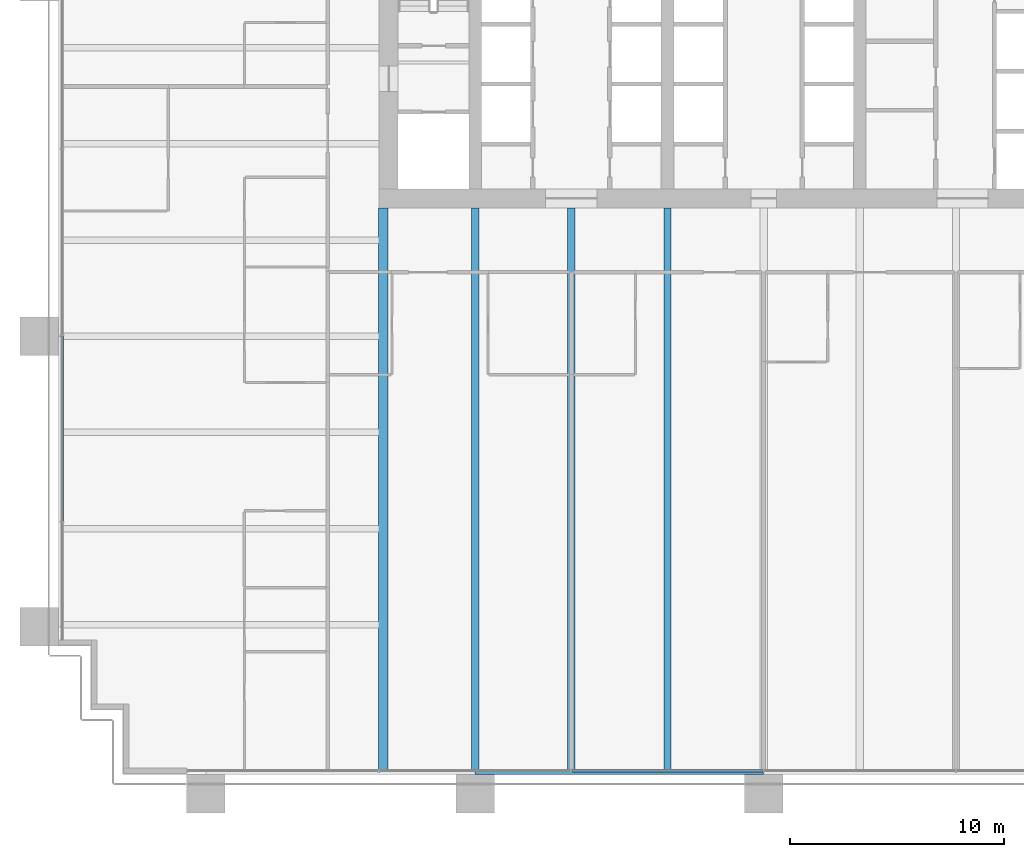
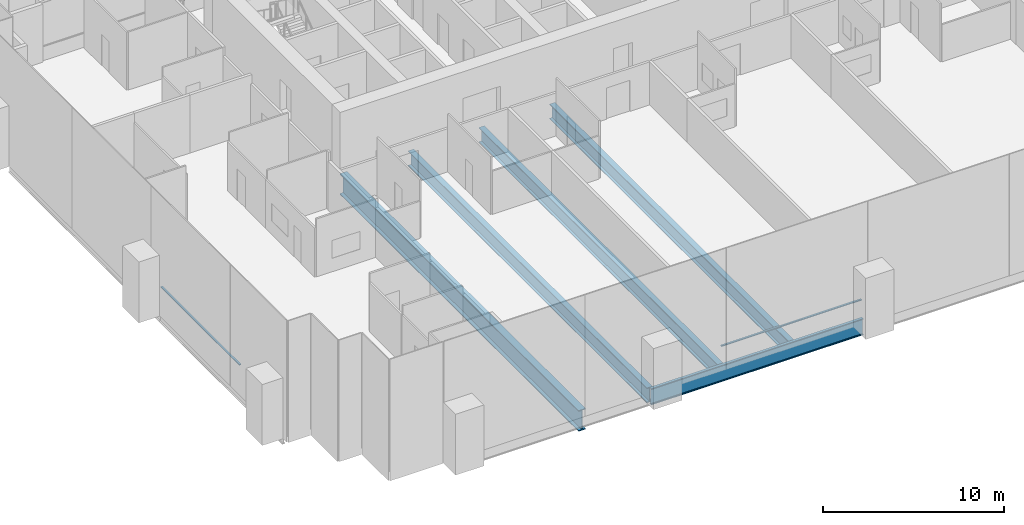
# One storey, part 3 of 18: 5 beams, 2 members, 2 elements without a shape of their own.
"""IFC4 building model written with IfcOpenShell, lengths in metres."""

from ifc_helpers import new_model, si_unit, direction, frame, origin, origin_2d, place, context, subcontext, project, spatial, rectangle, i_section, extrude, material, material_profile, profile_set, type_object, element, aggregate, save


model = new_model("IFC4")

# Units and contexts
model_context = context("Model", 3, precision=1e-05, world=origin(), true_north=direction((0.0, 1.0)))
body_context = subcontext(model_context, "Body", "Model", "MODEL_VIEW")
ifc_project = project(units=[si_unit("LENGTHUNIT", "METRE"), si_unit("AREAUNIT", "SQUARE_METRE"), si_unit("VOLUMEUNIT", "CUBIC_METRE"), si_unit("PLANEANGLEUNIT", "RADIAN"), si_unit("MASSUNIT", "GRAM", prefix="KILO")], contexts=[model_context])

# Site, building, storey
site_placement = place(None, origin())
site = spatial("IfcSite", under=ifc_project, at=site_placement, CompositionType="ELEMENT")
building_placement = place(site_placement, origin())
building = spatial("IfcBuilding", under=site, at=building_placement, Name="Rattan Terrace Tower", CompositionType="ELEMENT")
storey_placement = place(building_placement, frame((0.0, 0.0, 32.39990234375)))
storey = spatial("IfcBuildingStorey", under=building, at=storey_placement, Name="L06", CompositionType="ELEMENT", Elevation=32.39990234375)

# Curtain wall, member
ifc_material_1 = material(Name="Aluminium and glass", Category="aluminium")
curtain_wall_type = type_object("IfcCurtainWallType", Name="Facade Unitised Curtain Wall", PredefinedType="NOTDEFINED", material=ifc_material_1)
curtain_wall_1_placement = place(storey_placement, origin())
curtain_wall_1 = element("IfcCurtainWall", 1, at=curtain_wall_1_placement, inside=storey, type_object=curtain_wall_type, Name="Curtain wall L06-3", PredefinedType="NOTDEFINED")
ifc_material_2 = material(Name="Aluminium", Category="aluminium")
ifc_material_profile_1 = material_profile(ifc_material_2, rectangle(XDim=0.1201171875, YDim=0.06005859375, at=origin_2d()), Name="Aluminium 120x60")
ifc_profile_set_1 = profile_set([ifc_material_profile_1], Name="Aluminium")
member_type = type_object("IfcMemberType", Name="Facade CW Transom 120x60", PredefinedType="USERDEFINED", material=ifc_profile_set_1)
member_1_placement = place(storey_placement, frame((-32.830078125, -13.48388671875, 1.0), z_axis=(0.0, -1.0, 0.0), x_axis=(1.0, 0.0, 0.0)))
member_1 = element("IfcMember", 2, at=member_1_placement, type_object=member_type, Name="Transom cwl-L06-003.3", ObjectType="TRANSOM", PredefinedType="USERDEFINED", context=body_context, shape_type="SweptSolid", body=[
    extrude(rectangle(XDim=0.1201171875, YDim=0.06005859375, at=origin_2d()), origin(), (0.0, 0.0, 1.0), 8.6669921875),
])
aggregate(curtain_wall_1, [member_1])

curtain_wall_2_placement = place(storey_placement, origin())
curtain_wall_2 = element("IfcCurtainWall", 3, at=curtain_wall_2_placement, inside=storey, type_object=curtain_wall_type, Name="Curtain wall L06-4", PredefinedType="NOTDEFINED")
member_2_placement = place(storey_placement, frame((-8.969970703125, -33.830078125, 1.0), z_axis=(1.0, 0.0, 0.0), x_axis=(0.0, 1.0, 0.0)))
member_2 = element("IfcMember", 4, at=member_2_placement, type_object=member_type, Name="Transom cwl-L06-004.3", ObjectType="TRANSOM", PredefinedType="USERDEFINED", context=body_context, shape_type="SweptSolid", body=[
    extrude(rectangle(XDim=0.1201171875, YDim=0.06005859375, at=origin_2d()), origin(), (0.0, 0.0, 1.0), 8.93994140625),
])
aggregate(curtain_wall_2, [member_2])

# Beams
ifc_material_3 = material(Name="Steel S460", Category="steel")
ifc_material_profile_2 = material_profile(ifc_material_3, i_section(OverallWidth=0.449951171875, OverallDepth=1.39990234375, WebThickness=0.02197265625, FlangeThickness=0.054931640625, at=origin_2d()), Name="PG 1400x450-22-55")
ifc_profile_set_2 = profile_set([ifc_material_profile_2], Name="Steel S460")
beam_type_1 = type_object("IfcBeamType", Name="Frame core girder PG 1400x450-22-55", PredefinedType="BEAM", material=ifc_profile_set_2)
beam_1_placement = place(storey_placement, frame((-17.800048828125, -33.820068359375, -0.89990234375), z_axis=(0.0, 1.0, 0.0), x_axis=(-1.0, 0.0, 0.0)))
element("IfcBeam", 5, at=beam_1_placement, inside=storey, type_object=beam_type_1, Name="gdr-L06-013", PredefinedType="BEAM", context=body_context, shape_type="SweptSolid", body=[
    extrude(i_section(OverallWidth=0.449951171875, OverallDepth=1.39990234375, WebThickness=0.02197265625, FlangeThickness=0.054931640625, at=origin_2d()), origin(), (0.0, 0.0, 1.0), 26.320068359375),
])
ifc_material_4 = material(Name="Steel S460", Category="steel")
ifc_material_profile_3 = material_profile(ifc_material_4, i_section(OverallWidth=0.179931640625, OverallDepth=1.10009765625, WebThickness=0.01611328125, FlangeThickness=0.050048828125, at=origin_2d()), Name="PG 1100x180-16-50")
ifc_profile_set_3 = profile_set([ifc_material_profile_3], Name="Steel S460")
beam_type_2 = type_object("IfcBeamType", Name="Frame edge girder PG 1100x180-16-50", PredefinedType="SPANDREL", material=ifc_profile_set_3)
beam_2_placement = place(storey_placement, frame((-13.5, -33.909912109375, -0.75), z_axis=(1.0, 0.0, 0.0), x_axis=(0.0, 1.0, 0.0)))
element("IfcBeam", 6, at=beam_2_placement, inside=storey, type_object=beam_type_2, Name="gdr-L06-002", PredefinedType="SPANDREL", context=body_context, shape_type="SweptSolid", body=[
    extrude(i_section(OverallWidth=0.179931640625, OverallDepth=1.10009765625, WebThickness=0.01611328125, FlangeThickness=0.050048828125, at=origin_2d()), origin(), (0.0, 0.0, 1.0), 13.5),
])
ifc_material_5 = material(Name="Steel S460", Category="steel")
ifc_material_profile_4 = material_profile(ifc_material_5, i_section(OverallWidth=0.35009765625, OverallDepth=1.0, WebThickness=0.01611328125, FlangeThickness=0.044921875, at=origin_2d()), Name="PG 1000x350-16-45")
ifc_profile_set_4 = profile_set([ifc_material_profile_4], Name="Steel S460")
beam_type_3 = type_object("IfcBeamType", Name="Frame floor beam PG 1000x350-16-45", PredefinedType="JOIST", material=ifc_profile_set_4)
for number, where, z_axis, x_axis, name in (
    (7, (-13.5, -33.820068359375, -0.699951171875), (0.0, 1.0, 0.0), (-1.0, 0.0, 0.0), "bm-L06-003"),
    (8, (-9.0, -33.820068359375, -0.699951171875), (0.0, 1.0, 0.0), (-1.0, 0.0, 0.0), "bm-L06-004"),
    (9, (-4.5, -33.820068359375, -0.699951171875), (0.0, 1.0, 0.0), (-1.0, 0.0, 0.0), "bm-L06-005"),
):
    element("IfcBeam", number, at=place(storey_placement, frame(where, z_axis=z_axis, x_axis=x_axis)), inside=storey, type_object=beam_type_3, Name=name, PredefinedType="JOIST", context=body_context, shape_type="SweptSolid", body=[
        extrude(i_section(OverallWidth=0.35009765625, OverallDepth=1.0, WebThickness=0.01611328125, FlangeThickness=0.044921875, at=origin_2d()), origin(), (0.0, 0.0, 1.0), 26.320068359375),
    ])

save(model, "model.ifc")
